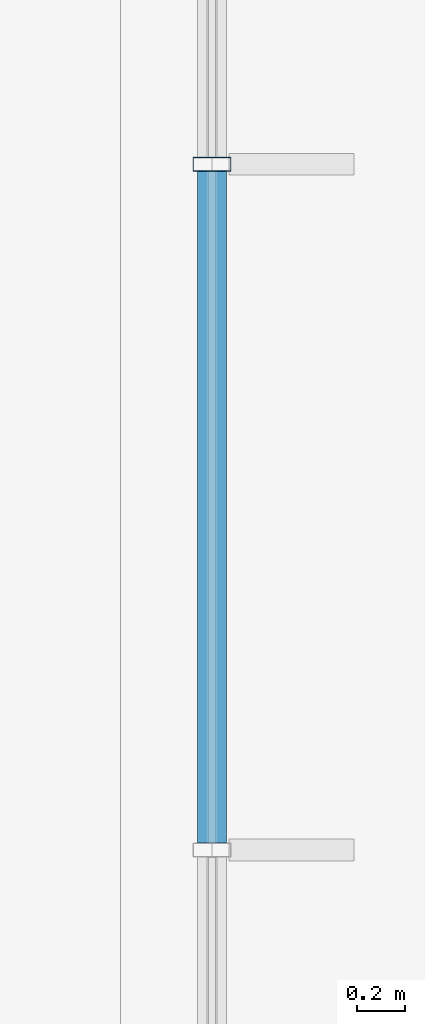
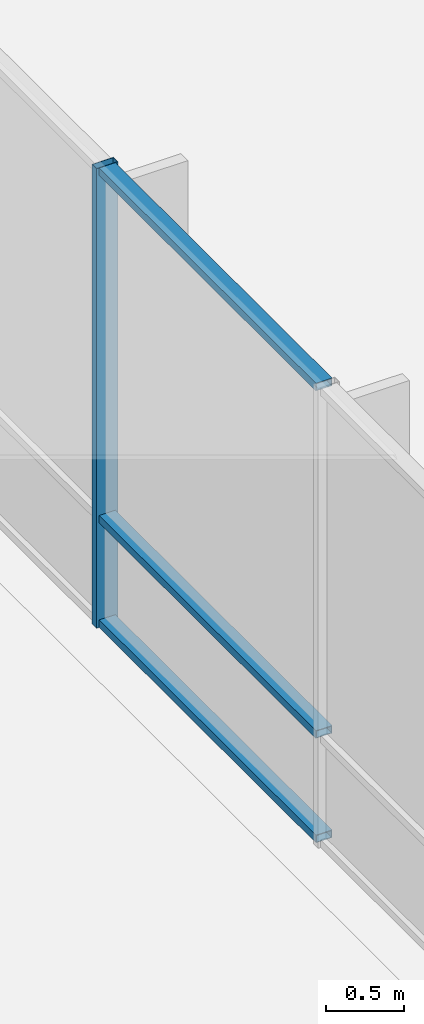
# One storey, part 63 of 233: 4 members, 1 element without a shape of its own.
"""IFC4 building model written with IfcOpenShell, lengths in metres."""

from ifc_helpers import new_model, si_unit, direction, frame, origin, origin_2d, place, context, subcontext, project, spatial, hollow_rectangle, extrude, material, material_profile, profile_set, type_object, element, aggregate, save


model = new_model("IFC4")

# Units and contexts
model_context = context("Model", 3, precision=1e-05, world=origin(), true_north=direction((0.0, 1.0)))
body_context = subcontext(model_context, "Body", "Model", "MODEL_VIEW")
ifc_project = project(units=[si_unit("LENGTHUNIT", "METRE"), si_unit("AREAUNIT", "SQUARE_METRE"), si_unit("VOLUMEUNIT", "CUBIC_METRE"), si_unit("PLANEANGLEUNIT", "RADIAN"), si_unit("MASSUNIT", "GRAM", prefix="KILO")], contexts=[model_context])

# Site, building, storey
site_placement = place(None, origin())
site = spatial("IfcSite", under=ifc_project, at=site_placement, CompositionType="ELEMENT")
building_placement = place(site_placement, origin())
building = spatial("IfcBuilding", under=site, at=building_placement, Name="Zavelmont Quarter", CompositionType="ELEMENT")
storey_placement = place(building_placement, origin())
storey = spatial("IfcBuildingStorey", under=building, at=storey_placement, Name="L00", CompositionType="ELEMENT", Elevation=0.0)

# Curtain wall, members
ifc_material_1 = material(Name="Thermally broken aluminium and double low-E safety glazing", Category="aluminium")
curtain_wall_type = type_object("IfcCurtainWallType", Name="CW-1140X361", PredefinedType="NOTDEFINED", material=ifc_material_1)
curtain_wall_placement = place(storey_placement, origin())
curtain_wall = element("IfcCurtainWall", 1, at=curtain_wall_placement, inside=storey, type_object=curtain_wall_type, Name="L00 unitised curtain wall CW-1140X361", PredefinedType="NOTDEFINED")
ifc_material_2 = material(Name="Powder-coated aluminium EN AW-6063-T6", Category="aluminium")
ifc_material_profile_1 = material_profile(ifc_material_2, hollow_rectangle(XDim=0.06005859375, YDim=0.159912109375, WallThickness=0.00390625, at=origin_2d()), Name="CWM60X160")
ifc_profile_set_1 = profile_set([ifc_material_profile_1], Name="Powder-coated aluminium EN AW-6063-T6")
member_type_1 = type_object("IfcMemberType", Name="CWM01", PredefinedType="MULLION", material=ifc_profile_set_1)
member_1_placement = place(storey_placement, frame((76.0, 7.199951171875, 0.0), z_axis=(0.0, 0.0, 1.0), x_axis=(0.0, 1.0, 0.0)))
member_1 = element("IfcMember", 2, at=member_1_placement, type_object=member_type_1, Name="CW-1140X361 mullion 3", PredefinedType="MULLION", context=body_context, shape_type="SweptSolid", body=[
    extrude(hollow_rectangle(XDim=0.06005859375, YDim=0.159912109375, WallThickness=0.00390625, at=origin_2d()), origin(), (0.0, 0.0, 1.0), 3.610107421875),
])
ifc_material_profile_2 = material_profile(ifc_material_2, hollow_rectangle(XDim=0.1201171875, YDim=0.06005859375, WallThickness=0.00390625, at=origin_2d()), Name="CWT60X120")
ifc_profile_set_2 = profile_set([ifc_material_profile_2], Name="Powder-coated aluminium EN AW-6063-T6")
member_type_2 = type_object("IfcMemberType", Name="CWT01", PredefinedType="NOTDEFINED", material=ifc_profile_set_2)
member_2_placement = place(storey_placement, frame((76.0, 4.3798828125, 0.030029296875), z_axis=(0.0, 1.0, 0.0), x_axis=(-1.0, 0.0, 0.0)))
member_2 = element("IfcMember", 3, at=member_2_placement, type_object=member_type_2, Name="CW-1140X361 transom 2.1", ObjectType="TRANSOM", PredefinedType="USERDEFINED", context=body_context, shape_type="SweptSolid", body=[
    extrude(hollow_rectangle(XDim=0.1201171875, YDim=0.06005859375, WallThickness=0.00390625, at=origin_2d()), origin(), (0.0, 0.0, 1.0), 2.7900390625),
])
member_3_placement = place(storey_placement, frame((76.0, 4.3798828125, 0.85009765625), z_axis=(0.0, 1.0, 0.0), x_axis=(-1.0, 0.0, 0.0)))
member_3 = element("IfcMember", 4, at=member_3_placement, type_object=member_type_2, Name="CW-1140X361 transom 2.2", ObjectType="TRANSOM", PredefinedType="USERDEFINED", context=body_context, shape_type="SweptSolid", body=[
    extrude(hollow_rectangle(XDim=0.1201171875, YDim=0.06005859375, WallThickness=0.00390625, at=origin_2d()), origin(), (0.0, 0.0, 1.0), 2.7900390625),
])
member_4_placement = place(storey_placement, frame((76.0, 4.3798828125, 3.580078125), z_axis=(0.0, 1.0, 0.0), x_axis=(-1.0, 0.0, 0.0)))
member_4 = element("IfcMember", 5, at=member_4_placement, type_object=member_type_2, Name="CW-1140X361 transom 2.3", ObjectType="TRANSOM", PredefinedType="USERDEFINED", context=body_context, shape_type="SweptSolid", body=[
    extrude(hollow_rectangle(XDim=0.1201171875, YDim=0.06005859375, WallThickness=0.00390625, at=origin_2d()), origin(), (0.0, 0.0, 1.0), 2.7900390625),
])
aggregate(curtain_wall, [member_1, member_2, member_3, member_4])

save(model, "model.ifc")
